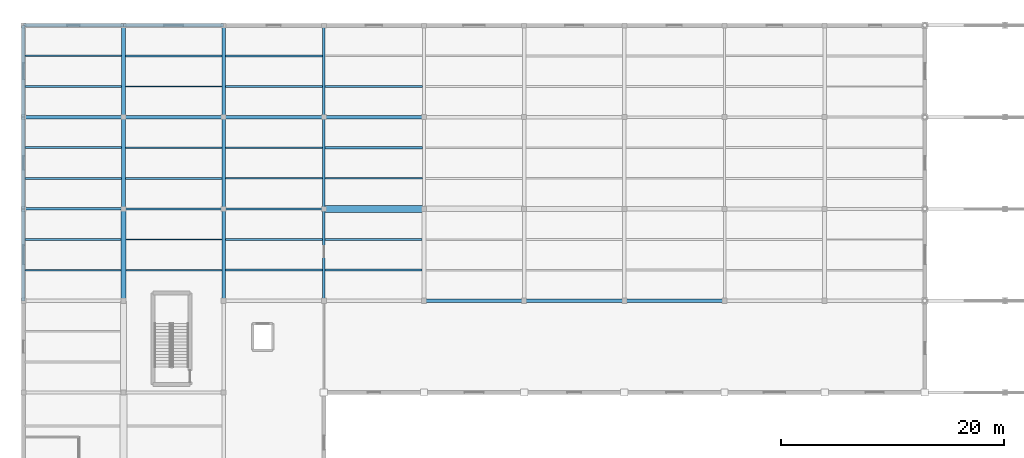
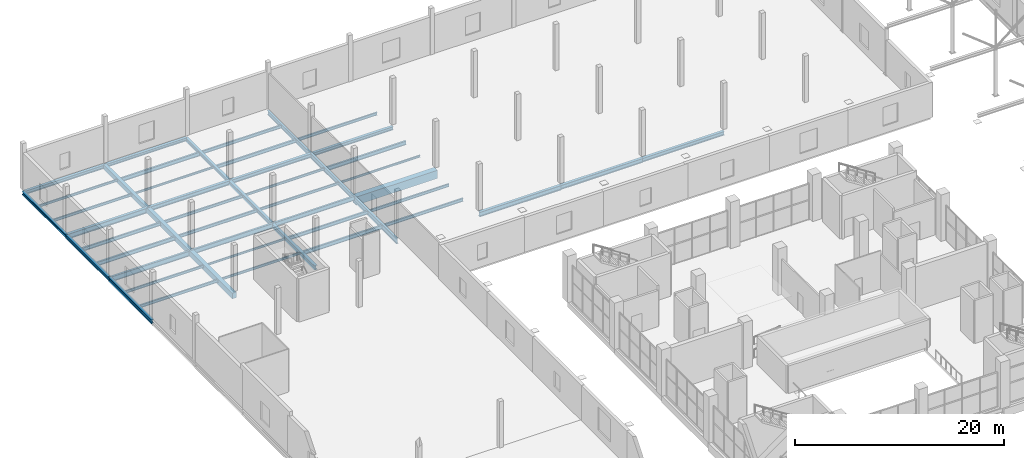
# One storey, part 55 of 147: 48 beams.
"""IFC4 building model written with IfcOpenShell, lengths in metres."""

from ifc_helpers import new_model, si_unit, direction, frame, origin, origin_2d, place, context, subcontext, project, spatial, rectangle, i_section, extrude, material, material_profile, profile_set, type_object, element, save


model = new_model("IFC4")

# Units and contexts
model_context = context("Model", 3, precision=1e-05, world=origin(), true_north=direction((0.0, 1.0)))
body_context = subcontext(model_context, "Body", "Model", "MODEL_VIEW")
ifc_project = project(units=[si_unit("LENGTHUNIT", "METRE"), si_unit("AREAUNIT", "SQUARE_METRE"), si_unit("VOLUMEUNIT", "CUBIC_METRE"), si_unit("PLANEANGLEUNIT", "RADIAN"), si_unit("MASSUNIT", "GRAM", prefix="KILO")], contexts=[model_context])

# Site, building, storey
site_placement = place(None, origin())
site = spatial("IfcSite", under=ifc_project, at=site_placement, CompositionType="ELEMENT")
building_placement = place(site_placement, origin())
building = spatial("IfcBuilding", under=site, at=building_placement, Name="Sundgate Opera House", CompositionType="ELEMENT")
storey_placement = place(building_placement, frame((0.0, 0.0, 6.0)))
storey = spatial("IfcBuildingStorey", under=building, at=storey_placement, Name="L01", CompositionType="ELEMENT", Elevation=6.0)

# Beams
ifc_material_1 = material(Name="Steel S355J2", Category="steel")
ifc_material_profile_1 = material_profile(ifc_material_1, i_section(OverallWidth=0.300048828125, OverallDepth=0.389892578125, WebThickness=0.010986328125, FlangeThickness=0.01904296875, at=origin_2d()), Name="HEA 400")
ifc_profile_set_1 = profile_set([ifc_material_profile_1], Name="Steel S355J2")
beam_type_1 = type_object("IfcBeamType", Name="BM-GR-HEA400", PredefinedType="BEAM", material=ifc_profile_set_1)
beam_1_placement = place(storey_placement, frame((18.0, 111.75, -0.4951171875), z_axis=(0.0, 1.0, 0.0), x_axis=(-1.0, 0.0, 0.0)))
element("IfcBeam", 1, at=beam_1_placement, inside=storey, type_object=beam_type_1, Name="L01 Primary N-S Girder B1105", PredefinedType="BEAM", context=body_context, shape_type="SweptSolid", body=[
    extrude(i_section(OverallWidth=0.300048828125, OverallDepth=0.389892578125, WebThickness=0.010986328125, FlangeThickness=0.01904296875, at=origin_2d()), origin(), (0.0, 0.0, 1.0), 8.25),
])
beam_2_placement = place(storey_placement, frame((27.0, 111.75, -0.4951171875), z_axis=(1.0, 0.0, 0.0), x_axis=(0.0, 1.0, 0.0)))
element("IfcBeam", 2, at=beam_2_placement, inside=storey, type_object=beam_type_1, Name="L01 Primary E-W Girder B1435", PredefinedType="BEAM", context=body_context, shape_type="SweptSolid", body=[
    extrude(i_section(OverallWidth=0.300048828125, OverallDepth=0.389892578125, WebThickness=0.010986328125, FlangeThickness=0.01904296875, at=origin_2d()), origin(), (0.0, 0.0, 1.0), 9.0),
])
ifc_material_2 = material(Name="Steel S355J2", Category="steel")
ifc_material_profile_2 = material_profile(ifc_material_2, i_section(OverallWidth=0.300048828125, OverallDepth=0.43994140625, WebThickness=0.011474609375, FlangeThickness=0.02099609375, at=origin_2d()), Name="HEA 450")
ifc_profile_set_2 = profile_set([ifc_material_profile_2], Name="Steel S355J2")
beam_type_2 = type_object("IfcBeamType", Name="BM-GR-HEA450", PredefinedType="BEAM", material=ifc_profile_set_2)
beam_3_placement = place(storey_placement, frame((18.0, 103.5, -0.52001953125), z_axis=(0.0, 1.0, 0.0), x_axis=(-1.0, 0.0, 0.0)))
element("IfcBeam", 3, at=beam_3_placement, inside=storey, type_object=beam_type_2, Name="L01 Primary N-S Girder B1104", PredefinedType="BEAM", context=body_context, shape_type="SweptSolid", body=[
    extrude(i_section(OverallWidth=0.300048828125, OverallDepth=0.43994140625, WebThickness=0.011474609375, FlangeThickness=0.02099609375, at=origin_2d()), origin(), (0.0, 0.0, 1.0), 8.25),
])
beam_4_placement = place(storey_placement, frame((18.0, 111.75, -0.52001953125), z_axis=(1.0, 0.0, 0.0), x_axis=(0.0, 1.0, 0.0)))
element("IfcBeam", 4, at=beam_4_placement, inside=storey, type_object=beam_type_2, Name="L01 Primary E-W Girder B1434", PredefinedType="BEAM", context=body_context, shape_type="SweptSolid", body=[
    extrude(i_section(OverallWidth=0.300048828125, OverallDepth=0.43994140625, WebThickness=0.011474609375, FlangeThickness=0.02099609375, at=origin_2d()), origin(), (0.0, 0.0, 1.0), 9.0),
])
ifc_material_3 = material(Name="Steel S355J2", Category="steel")
ifc_material_profile_3 = material_profile(ifc_material_3, i_section(OverallWidth=0.300048828125, OverallDepth=0.489990234375, WebThickness=0.011962890625, FlangeThickness=0.02294921875, at=origin_2d()), Name="HEA 500")
ifc_profile_set_3 = profile_set([ifc_material_profile_3], Name="Steel S355J2")
beam_type_3 = type_object("IfcBeamType", Name="BM-GR-HEA500", PredefinedType="BEAM", material=ifc_profile_set_3)
beam_5_placement = place(storey_placement, frame((18.0, 95.25, -0.544921875), z_axis=(0.0, 1.0, 0.0), x_axis=(-1.0, 0.0, 0.0)))
element("IfcBeam", 5, at=beam_5_placement, inside=storey, type_object=beam_type_3, Name="L01 Primary N-S Girder B1103", PredefinedType="BEAM", context=body_context, shape_type="SweptSolid", body=[
    extrude(i_section(OverallWidth=0.300048828125, OverallDepth=0.489990234375, WebThickness=0.011962890625, FlangeThickness=0.02294921875, at=origin_2d()), origin(), (0.0, 0.0, 1.0), 8.25),
])
beam_6_placement = place(storey_placement, frame((9.0, 111.75, -0.544921875), z_axis=(1.0, 0.0, 0.0), x_axis=(0.0, 1.0, 0.0)))
element("IfcBeam", 6, at=beam_6_placement, inside=storey, type_object=beam_type_3, Name="L01 Primary E-W Girder B1433", PredefinedType="BEAM", context=body_context, shape_type="SweptSolid", body=[
    extrude(i_section(OverallWidth=0.300048828125, OverallDepth=0.489990234375, WebThickness=0.011962890625, FlangeThickness=0.02294921875, at=origin_2d()), origin(), (0.0, 0.0, 1.0), 9.0),
])
ifc_material_4 = material(Name="Steel S355J2", Category="steel")
ifc_material_profile_4 = material_profile(ifc_material_4, i_section(OverallWidth=0.300048828125, OverallDepth=0.590087890625, WebThickness=0.012939453125, FlangeThickness=0.02490234375, at=origin_2d()), Name="HEA 600")
ifc_profile_set_4 = profile_set([ifc_material_profile_4], Name="Steel S355J2")
beam_type_4 = type_object("IfcBeamType", Name="BM-GR-HEA600", PredefinedType="BEAM", material=ifc_profile_set_4)
beam_7_placement = place(storey_placement, frame((0.0, 111.75, -0.594970703125), z_axis=(1.0, 0.0, 0.0), x_axis=(0.0, 1.0, 0.0)))
element("IfcBeam", 7, at=beam_7_placement, inside=storey, type_object=beam_type_4, Name="L01 Primary E-W Girder B1432", PredefinedType="BEAM", context=body_context, shape_type="SweptSolid", body=[
    extrude(i_section(OverallWidth=0.300048828125, OverallDepth=0.590087890625, WebThickness=0.012939453125, FlangeThickness=0.02490234375, at=origin_2d()), origin(), (0.0, 0.0, 1.0), 9.0),
])
ifc_material_5 = material(Name="Steel S355J2", Category="steel")
ifc_material_profile_5 = material_profile(ifc_material_5, i_section(OverallWidth=0.300048828125, OverallDepth=0.360107421875, WebThickness=0.012451171875, FlangeThickness=0.0224609375, at=origin_2d()), Name="HEB 360")
ifc_profile_set_5 = profile_set([ifc_material_profile_5], Name="Steel S355J2")
beam_type_5 = type_object("IfcBeamType", Name="BM-GR-HEB360", PredefinedType="BEAM", material=ifc_profile_set_5)
beam_8_placement = place(storey_placement, frame((0.0, 111.75, -0.47998046875), z_axis=(0.0, 1.0, 0.0), x_axis=(-1.0, 0.0, 0.0)))
element("IfcBeam", 8, at=beam_8_placement, inside=storey, type_object=beam_type_5, Name="L01 Primary N-S Girder B1079", PredefinedType="BEAM", context=body_context, shape_type="SweptSolid", body=[
    extrude(i_section(OverallWidth=0.300048828125, OverallDepth=0.360107421875, WebThickness=0.012451171875, FlangeThickness=0.0224609375, at=origin_2d()), origin(), (0.0, 0.0, 1.0), 8.25),
])
beam_9_placement = place(storey_placement, frame((9.0, 120.0, -0.47998046875), z_axis=(1.0, 0.0, 0.0), x_axis=(0.0, 1.0, 0.0)))
element("IfcBeam", 9, at=beam_9_placement, inside=storey, type_object=beam_type_5, Name="L01 Primary E-W Girder B1453", PredefinedType="BEAM", context=body_context, shape_type="SweptSolid", body=[
    extrude(i_section(OverallWidth=0.300048828125, OverallDepth=0.360107421875, WebThickness=0.012451171875, FlangeThickness=0.0224609375, at=origin_2d()), origin(), (0.0, 0.0, 1.0), 9.0),
])
ifc_material_6 = material(Name="Steel S355J2", Category="steel")
ifc_material_profile_6 = material_profile(ifc_material_6, i_section(OverallWidth=0.300048828125, OverallDepth=0.39990234375, WebThickness=0.013427734375, FlangeThickness=0.02392578125, at=origin_2d()), Name="HEB 400")
ifc_profile_set_6 = profile_set([ifc_material_profile_6], Name="Steel S355J2")
beam_type_6 = type_object("IfcBeamType", Name="BM-GR-HEB400", PredefinedType="BEAM", material=ifc_profile_set_6)
beam_10_placement = place(storey_placement, frame((0.0, 103.5, -0.5), z_axis=(0.0, 1.0, 0.0), x_axis=(-1.0, 0.0, 0.0)))
element("IfcBeam", 10, at=beam_10_placement, inside=storey, type_object=beam_type_6, Name="L01 Primary N-S Girder B1078", PredefinedType="BEAM", context=body_context, shape_type="SweptSolid", body=[
    extrude(i_section(OverallWidth=0.300048828125, OverallDepth=0.39990234375, WebThickness=0.013427734375, FlangeThickness=0.02392578125, at=origin_2d()), origin(), (0.0, 0.0, 1.0), 8.25),
])
beam_11_placement = place(storey_placement, frame((0.0, 120.0, -0.5), z_axis=(1.0, 0.0, 0.0), x_axis=(0.0, 1.0, 0.0)))
element("IfcBeam", 11, at=beam_11_placement, inside=storey, type_object=beam_type_6, Name="L01 Primary E-W Girder B1452", PredefinedType="BEAM", context=body_context, shape_type="SweptSolid", body=[
    extrude(i_section(OverallWidth=0.300048828125, OverallDepth=0.39990234375, WebThickness=0.013427734375, FlangeThickness=0.02392578125, at=origin_2d()), origin(), (0.0, 0.0, 1.0), 9.0),
])
ifc_material_7 = material(Name="Steel S355J2", Category="steel")
ifc_material_profile_7 = material_profile(ifc_material_7, i_section(OverallWidth=0.300048828125, OverallDepth=0.449951171875, WebThickness=0.013916015625, FlangeThickness=0.02587890625, at=origin_2d()), Name="HEB 450")
ifc_profile_set_7 = profile_set([ifc_material_profile_7], Name="Steel S355J2")
beam_type_7 = type_object("IfcBeamType", Name="BM-GR-HEB450", PredefinedType="BEAM", material=ifc_profile_set_7)
beam_12_placement = place(storey_placement, frame((0.0, 95.25, -0.52490234375), z_axis=(0.0, 1.0, 0.0), x_axis=(-1.0, 0.0, 0.0)))
element("IfcBeam", 12, at=beam_12_placement, inside=storey, type_object=beam_type_7, Name="L01 Primary N-S Girder B1077", PredefinedType="BEAM", context=body_context, shape_type="SweptSolid", body=[
    extrude(i_section(OverallWidth=0.300048828125, OverallDepth=0.449951171875, WebThickness=0.013916015625, FlangeThickness=0.02587890625, at=origin_2d()), origin(), (0.0, 0.0, 1.0), 8.25),
])
beam_13_placement = place(storey_placement, frame((54.0, 95.25, -0.52490234375), z_axis=(1.0, 0.0, 0.0), x_axis=(0.0, 1.0, 0.0)))
element("IfcBeam", 13, at=beam_13_placement, inside=storey, type_object=beam_type_7, Name="L01 Primary E-W Girder B1407", PredefinedType="BEAM", context=body_context, shape_type="SweptSolid", body=[
    extrude(i_section(OverallWidth=0.300048828125, OverallDepth=0.449951171875, WebThickness=0.013916015625, FlangeThickness=0.02587890625, at=origin_2d()), origin(), (0.0, 0.0, 1.0), 9.0),
])
ifc_material_8 = material(Name="Steel S355J2", Category="steel")
ifc_material_profile_8 = material_profile(ifc_material_8, i_section(OverallWidth=0.300048828125, OverallDepth=0.5, WebThickness=0.014404296875, FlangeThickness=0.028076171875, at=origin_2d()), Name="HEB 500")
ifc_profile_set_8 = profile_set([ifc_material_profile_8], Name="Steel S355J2")
beam_type_8 = type_object("IfcBeamType", Name="BM-GR-HEB500", PredefinedType="BEAM", material=ifc_profile_set_8)
beam_14_placement = place(storey_placement, frame((45.0, 95.25, -0.550048828125), z_axis=(1.0, 0.0, 0.0), x_axis=(0.0, 1.0, 0.0)))
element("IfcBeam", 14, at=beam_14_placement, inside=storey, type_object=beam_type_8, Name="L01 Primary E-W Girder B1406", PredefinedType="BEAM", context=body_context, shape_type="SweptSolid", body=[
    extrude(i_section(OverallWidth=0.300048828125, OverallDepth=0.5, WebThickness=0.014404296875, FlangeThickness=0.028076171875, at=origin_2d()), origin(), (0.0, 0.0, 1.0), 9.0),
])
ifc_material_9 = material(Name="Steel S355J2", Category="steel")
ifc_material_profile_9 = material_profile(ifc_material_9, i_section(OverallWidth=0.300048828125, OverallDepth=0.550048828125, WebThickness=0.014892578125, FlangeThickness=0.029052734375, at=origin_2d()), Name="HEB 550")
ifc_profile_set_9 = profile_set([ifc_material_profile_9], Name="Steel S355J2")
beam_type_9 = type_object("IfcBeamType", Name="BM-GR-HEB550", PredefinedType="BEAM", material=ifc_profile_set_9)
beam_15_placement = place(storey_placement, frame((36.0, 95.25, -0.574951171875), z_axis=(1.0, 0.0, 0.0), x_axis=(0.0, 1.0, 0.0)))
element("IfcBeam", 15, at=beam_15_placement, inside=storey, type_object=beam_type_9, Name="L01 Primary E-W Girder B1405", PredefinedType="BEAM", context=body_context, shape_type="SweptSolid", body=[
    extrude(i_section(OverallWidth=0.300048828125, OverallDepth=0.550048828125, WebThickness=0.014892578125, FlangeThickness=0.029052734375, at=origin_2d()), origin(), (0.0, 0.0, 1.0), 9.0),
])
ifc_material_10 = material(Name="Steel S355J2", Category="steel")
ifc_material_profile_10 = material_profile(ifc_material_10, i_section(OverallWidth=0.199951171875, OverallDepth=0.5, WebThickness=0.01025390625, FlangeThickness=0.01611328125, at=origin_2d()), Name="IPE 500")
ifc_profile_set_10 = profile_set([ifc_material_profile_10], Name="Steel S355J2")
beam_type_10 = type_object("IfcBeamType", Name="BM-GR-IPE500", PredefinedType="BEAM", material=ifc_profile_set_10)
beam_16_placement = place(storey_placement, frame((27.0, 111.75, -0.550048828125), z_axis=(0.0, 1.0, 0.0), x_axis=(-1.0, 0.0, 0.0)))
element("IfcBeam", 16, at=beam_16_placement, inside=storey, type_object=beam_type_10, Name="L01 Primary N-S Girder B1110", PredefinedType="BEAM", context=body_context, shape_type="SweptSolid", body=[
    extrude(i_section(OverallWidth=0.199951171875, OverallDepth=0.5, WebThickness=0.01025390625, FlangeThickness=0.01611328125, at=origin_2d()), origin(), (0.0, 0.0, 1.0), 8.25),
])
beam_17_placement = place(storey_placement, frame((18.0, 103.5, -0.550048828125), z_axis=(1.0, 0.0, 0.0), x_axis=(0.0, 1.0, 0.0)))
element("IfcBeam", 17, at=beam_17_placement, inside=storey, type_object=beam_type_10, Name="L01 Primary E-W Girder B1418", PredefinedType="BEAM", context=body_context, shape_type="SweptSolid", body=[
    extrude(i_section(OverallWidth=0.199951171875, OverallDepth=0.5, WebThickness=0.01025390625, FlangeThickness=0.01611328125, at=origin_2d()), origin(), (0.0, 0.0, 1.0), 9.0),
])
ifc_material_11 = material(Name="Steel S355J2", Category="steel")
ifc_material_profile_11 = material_profile(ifc_material_11, i_section(OverallWidth=0.2099609375, OverallDepth=0.550048828125, WebThickness=0.010986328125, FlangeThickness=0.01708984375, at=origin_2d()), Name="IPE 550")
ifc_profile_set_11 = profile_set([ifc_material_profile_11], Name="Steel S355J2")
beam_type_11 = type_object("IfcBeamType", Name="BM-GR-IPE550", PredefinedType="BEAM", material=ifc_profile_set_11)
beam_18_placement = place(storey_placement, frame((27.0, 103.5, -0.574951171875), z_axis=(0.0, 1.0, 0.0), x_axis=(-1.0, 0.0, 0.0)))
element("IfcBeam", 18, at=beam_18_placement, inside=storey, type_object=beam_type_11, Name="L01 Primary N-S Girder B1109", PredefinedType="BEAM", context=body_context, shape_type="SweptSolid", body=[
    extrude(i_section(OverallWidth=0.2099609375, OverallDepth=0.550048828125, WebThickness=0.010986328125, FlangeThickness=0.01708984375, at=origin_2d()), origin(), (0.0, 0.0, 1.0), 8.25),
])
beam_19_placement = place(storey_placement, frame((9.0, 103.5, -0.574951171875), z_axis=(1.0, 0.0, 0.0), x_axis=(0.0, 1.0, 0.0)))
element("IfcBeam", 19, at=beam_19_placement, inside=storey, type_object=beam_type_11, Name="L01 Primary E-W Girder B1417", PredefinedType="BEAM", context=body_context, shape_type="SweptSolid", body=[
    extrude(i_section(OverallWidth=0.2099609375, OverallDepth=0.550048828125, WebThickness=0.010986328125, FlangeThickness=0.01708984375, at=origin_2d()), origin(), (0.0, 0.0, 1.0), 9.0),
])
ifc_material_12 = material(Name="Steel S355J2", Category="steel")
ifc_material_profile_12 = material_profile(ifc_material_12, i_section(OverallWidth=0.219970703125, OverallDepth=0.60009765625, WebThickness=0.011962890625, FlangeThickness=0.01904296875, at=origin_2d()), Name="IPE 600")
ifc_profile_set_12 = profile_set([ifc_material_profile_12], Name="Steel S355J2")
beam_type_12 = type_object("IfcBeamType", Name="BM-GR-IPE600", PredefinedType="BEAM", material=ifc_profile_set_12)
beam_20_placement = place(storey_placement, frame((27.0, 95.25, -0.60009765625), z_axis=(0.0, 1.0, 0.0), x_axis=(-1.0, 0.0, 0.0)))
element("IfcBeam", 20, at=beam_20_placement, inside=storey, type_object=beam_type_12, Name="L01 Primary N-S Girder B1108", PredefinedType="BEAM", context=body_context, shape_type="SweptSolid", body=[
    extrude(i_section(OverallWidth=0.219970703125, OverallDepth=0.60009765625, WebThickness=0.011962890625, FlangeThickness=0.01904296875, at=origin_2d()), origin(), (0.0, 0.0, 1.0), 8.25),
])
beam_21_placement = place(storey_placement, frame((0.0, 103.5, -0.60009765625), z_axis=(1.0, 0.0, 0.0), x_axis=(0.0, 1.0, 0.0)))
element("IfcBeam", 21, at=beam_21_placement, inside=storey, type_object=beam_type_12, Name="L01 Primary E-W Girder B1416", PredefinedType="BEAM", context=body_context, shape_type="SweptSolid", body=[
    extrude(i_section(OverallWidth=0.219970703125, OverallDepth=0.60009765625, WebThickness=0.011962890625, FlangeThickness=0.01904296875, at=origin_2d()), origin(), (0.0, 0.0, 1.0), 9.0),
])
ifc_material_13 = material(Name="Steel S355J2", Category="steel")
ifc_material_profile_13 = material_profile(ifc_material_13, i_section(OverallWidth=0.1201171875, OverallDepth=0.239990234375, WebThickness=0.006103515625, FlangeThickness=0.009765625, at=origin_2d()), Name="IPE 240")
ifc_profile_set_13 = profile_set([ifc_material_profile_13], Name="Steel S355J2")
beam_type_13 = type_object("IfcBeamType", Name="BM-JS-IPE240", PredefinedType="JOIST", material=ifc_profile_set_13)
beam_22_placement = place(storey_placement, frame((9.22509765625, 100.75, -0.419921875), z_axis=(1.0, 0.0, 0.0), x_axis=(0.0, 1.0, 0.0)))
element("IfcBeam", 22, at=beam_22_placement, inside=storey, type_object=beam_type_13, Name="L01 Secondary Floor Joist B1679", PredefinedType="JOIST", context=body_context, shape_type="SweptSolid", body=[
    extrude(i_section(OverallWidth=0.1201171875, OverallDepth=0.239990234375, WebThickness=0.006103515625, FlangeThickness=0.009765625, at=origin_2d()), origin(), (0.0, 0.0, 1.0), 8.625),
])
beam_23_placement = place(storey_placement, frame((27.10498046875, 106.25, -0.419921875), z_axis=(1.0, 0.0, 0.0), x_axis=(0.0, 1.0, 0.0)))
element("IfcBeam", 23, at=beam_23_placement, inside=storey, type_object=beam_type_13, Name="L01 Secondary Floor Joist B1714", PredefinedType="JOIST", context=body_context, shape_type="SweptSolid", body=[
    extrude(i_section(OverallWidth=0.1201171875, OverallDepth=0.239990234375, WebThickness=0.006103515625, FlangeThickness=0.009765625, at=origin_2d()), origin(), (0.0, 0.0, 1.0), 8.7451171875),
])
beam_24_placement = place(storey_placement, frame((9.175048828125, 114.5, -0.419921875), z_axis=(1.0, 0.0, 0.0), x_axis=(0.0, 1.0, 0.0)))
element("IfcBeam", 24, at=beam_24_placement, inside=storey, type_object=beam_type_13, Name="L01 Secondary Floor Joist B1742", PredefinedType="JOIST", context=body_context, shape_type="SweptSolid", body=[
    extrude(i_section(OverallWidth=0.1201171875, OverallDepth=0.239990234375, WebThickness=0.006103515625, FlangeThickness=0.009765625, at=origin_2d()), origin(), (0.0, 0.0, 1.0), 8.675048828125),
])
ifc_material_14 = material(Name="Steel S355J2", Category="steel")
ifc_material_profile_14 = material_profile(ifc_material_14, i_section(OverallWidth=0.135009765625, OverallDepth=0.27001953125, WebThickness=0.006591796875, FlangeThickness=0.01025390625, at=origin_2d()), Name="IPE 270")
ifc_profile_set_14 = profile_set([ifc_material_profile_14], Name="Steel S355J2")
beam_type_14 = type_object("IfcBeamType", Name="BM-JS-IPE270", PredefinedType="JOIST", material=ifc_profile_set_14)
beam_25_placement = place(storey_placement, frame((9.22509765625, 98.0, -0.43505859375), z_axis=(1.0, 0.0, 0.0), x_axis=(0.0, 1.0, 0.0)))
element("IfcBeam", 25, at=beam_25_placement, inside=storey, type_object=beam_type_14, Name="L01 Secondary Floor Joist B1678", PredefinedType="JOIST", context=body_context, shape_type="SweptSolid", body=[
    extrude(i_section(OverallWidth=0.135009765625, OverallDepth=0.27001953125, WebThickness=0.006591796875, FlangeThickness=0.01025390625, at=origin_2d()), origin(), (0.0, 0.0, 1.0), 8.625),
])
beam_26_placement = place(storey_placement, frame((18.14990234375, 109.0, -0.43505859375), z_axis=(1.0, 0.0, 0.0), x_axis=(0.0, 1.0, 0.0)))
element("IfcBeam", 26, at=beam_26_placement, inside=storey, type_object=beam_type_14, Name="L01 Secondary Floor Joist B1713", PredefinedType="JOIST", context=body_context, shape_type="SweptSolid", body=[
    extrude(i_section(OverallWidth=0.135009765625, OverallDepth=0.27001953125, WebThickness=0.006591796875, FlangeThickness=0.01025390625, at=origin_2d()), origin(), (0.0, 0.0, 1.0), 8.7451171875),
])
beam_27_placement = place(storey_placement, frame((0.14990234375, 117.25, -0.43505859375), z_axis=(1.0, 0.0, 0.0), x_axis=(0.0, 1.0, 0.0)))
element("IfcBeam", 27, at=beam_27_placement, inside=storey, type_object=beam_type_14, Name="L01 Secondary Floor Joist B1741", PredefinedType="JOIST", context=body_context, shape_type="SweptSolid", body=[
    extrude(i_section(OverallWidth=0.135009765625, OverallDepth=0.27001953125, WebThickness=0.006591796875, FlangeThickness=0.01025390625, at=origin_2d()), origin(), (0.0, 0.0, 1.0), 8.675048828125),
])
ifc_material_15 = material(Name="Steel S355J2", Category="steel")
ifc_material_profile_15 = material_profile(ifc_material_15, i_section(OverallWidth=0.14990234375, OverallDepth=0.300048828125, WebThickness=0.007080078125, FlangeThickness=0.0107421875, at=origin_2d()), Name="IPE 300")
ifc_profile_set_15 = profile_set([ifc_material_profile_15], Name="Steel S355J2")
beam_type_15 = type_object("IfcBeamType", Name="BM-JS-IPE300", PredefinedType="JOIST", material=ifc_profile_set_15)
beam_28_placement = place(storey_placement, frame((0.14990234375, 100.75, -0.449951171875), z_axis=(1.0, 0.0, 0.0), x_axis=(0.0, 1.0, 0.0)))
element("IfcBeam", 28, at=beam_28_placement, inside=storey, type_object=beam_type_15, Name="L01 Secondary Floor Joist B1677", PredefinedType="JOIST", context=body_context, shape_type="SweptSolid", body=[
    extrude(i_section(OverallWidth=0.14990234375, OverallDepth=0.300048828125, WebThickness=0.007080078125, FlangeThickness=0.0107421875, at=origin_2d()), origin(), (0.0, 0.0, 1.0), 8.625),
])
beam_29_placement = place(storey_placement, frame((18.14990234375, 106.25, -0.449951171875), z_axis=(1.0, 0.0, 0.0), x_axis=(0.0, 1.0, 0.0)))
element("IfcBeam", 29, at=beam_29_placement, inside=storey, type_object=beam_type_15, Name="L01 Secondary Floor Joist B1712", PredefinedType="JOIST", context=body_context, shape_type="SweptSolid", body=[
    extrude(i_section(OverallWidth=0.14990234375, OverallDepth=0.300048828125, WebThickness=0.007080078125, FlangeThickness=0.0107421875, at=origin_2d()), origin(), (0.0, 0.0, 1.0), 8.7451171875),
])
beam_30_placement = place(storey_placement, frame((0.14990234375, 114.5, -0.449951171875), z_axis=(1.0, 0.0, 0.0), x_axis=(0.0, 1.0, 0.0)))
element("IfcBeam", 30, at=beam_30_placement, inside=storey, type_object=beam_type_15, Name="L01 Secondary Floor Joist B1740", PredefinedType="JOIST", context=body_context, shape_type="SweptSolid", body=[
    extrude(i_section(OverallWidth=0.14990234375, OverallDepth=0.300048828125, WebThickness=0.007080078125, FlangeThickness=0.0107421875, at=origin_2d()), origin(), (0.0, 0.0, 1.0), 8.675048828125),
])
ifc_material_16 = material(Name="Steel S355J2", Category="steel")
ifc_material_profile_16 = material_profile(ifc_material_16, i_section(OverallWidth=0.159912109375, OverallDepth=0.330078125, WebThickness=0.007568359375, FlangeThickness=0.011474609375, at=origin_2d()), Name="IPE 330")
ifc_profile_set_16 = profile_set([ifc_material_profile_16], Name="Steel S355J2")
beam_type_16 = type_object("IfcBeamType", Name="BM-JS-IPE330", PredefinedType="JOIST", material=ifc_profile_set_16)
beam_31_placement = place(storey_placement, frame((0.14990234375, 98.0, -0.465087890625), z_axis=(1.0, 0.0, 0.0), x_axis=(0.0, 1.0, 0.0)))
element("IfcBeam", 31, at=beam_31_placement, inside=storey, type_object=beam_type_16, Name="L01 Secondary Floor Joist B1676", PredefinedType="JOIST", context=body_context, shape_type="SweptSolid", body=[
    extrude(i_section(OverallWidth=0.159912109375, OverallDepth=0.330078125, WebThickness=0.007568359375, FlangeThickness=0.011474609375, at=origin_2d()), origin(), (0.0, 0.0, 1.0), 8.625),
])
beam_32_placement = place(storey_placement, frame((27.110107421875, 100.75, -0.465087890625), z_axis=(1.0, 0.0, 0.0), x_axis=(0.0, 1.0, 0.0)))
element("IfcBeam", 32, at=beam_32_placement, inside=storey, type_object=beam_type_16, Name="L01 Secondary Floor Joist B1683", PredefinedType="JOIST", context=body_context, shape_type="SweptSolid", body=[
    extrude(i_section(OverallWidth=0.159912109375, OverallDepth=0.330078125, WebThickness=0.007568359375, FlangeThickness=0.011474609375, at=origin_2d()), origin(), (0.0, 0.0, 1.0), 8.71484375),
])
beam_33_placement = place(storey_placement, frame((9.199951171875, 109.0, -0.465087890625), z_axis=(1.0, 0.0, 0.0), x_axis=(0.0, 1.0, 0.0)))
element("IfcBeam", 33, at=beam_33_placement, inside=storey, type_object=beam_type_16, Name="L01 Secondary Floor Joist B1711", PredefinedType="JOIST", context=body_context, shape_type="SweptSolid", body=[
    extrude(i_section(OverallWidth=0.159912109375, OverallDepth=0.330078125, WebThickness=0.007568359375, FlangeThickness=0.011474609375, at=origin_2d()), origin(), (0.0, 0.0, 1.0), 8.650146484375),
])
beam_34_placement = place(storey_placement, frame((27.10009765625, 114.5, -0.465087890625), z_axis=(1.0, 0.0, 0.0), x_axis=(0.0, 1.0, 0.0)))
element("IfcBeam", 34, at=beam_34_placement, inside=storey, type_object=beam_type_16, Name="L01 Secondary Floor Joist B1746", PredefinedType="JOIST", context=body_context, shape_type="SweptSolid", body=[
    extrude(i_section(OverallWidth=0.159912109375, OverallDepth=0.330078125, WebThickness=0.007568359375, FlangeThickness=0.011474609375, at=origin_2d()), origin(), (0.0, 0.0, 1.0), 8.75),
])
ifc_material_17 = material(Name="Steel S355J2", Category="steel")
ifc_material_profile_17 = material_profile(ifc_material_17, i_section(OverallWidth=0.169921875, OverallDepth=0.360107421875, WebThickness=0.008056640625, FlangeThickness=0.0126953125, at=origin_2d()), Name="IPE 360")
ifc_profile_set_17 = profile_set([ifc_material_profile_17], Name="Steel S355J2")
beam_type_17 = type_object("IfcBeamType", Name="BM-JS-IPE360", PredefinedType="JOIST", material=ifc_profile_set_17)
beam_35_placement = place(storey_placement, frame((27.110107421875, 98.0, -0.47998046875), z_axis=(1.0, 0.0, 0.0), x_axis=(0.0, 1.0, 0.0)))
element("IfcBeam", 35, at=beam_35_placement, inside=storey, type_object=beam_type_17, Name="L01 Secondary Floor Joist B1682", PredefinedType="JOIST", context=body_context, shape_type="SweptSolid", body=[
    extrude(i_section(OverallWidth=0.169921875, OverallDepth=0.360107421875, WebThickness=0.008056640625, FlangeThickness=0.0126953125, at=origin_2d()), origin(), (0.0, 0.0, 1.0), 8.71484375),
])
beam_36_placement = place(storey_placement, frame((9.199951171875, 106.25, -0.47998046875), z_axis=(1.0, 0.0, 0.0), x_axis=(0.0, 1.0, 0.0)))
element("IfcBeam", 36, at=beam_36_placement, inside=storey, type_object=beam_type_17, Name="L01 Secondary Floor Joist B1710", PredefinedType="JOIST", context=body_context, shape_type="SweptSolid", body=[
    extrude(i_section(OverallWidth=0.169921875, OverallDepth=0.360107421875, WebThickness=0.008056640625, FlangeThickness=0.0126953125, at=origin_2d()), origin(), (0.0, 0.0, 1.0), 8.650146484375),
])
beam_37_placement = place(storey_placement, frame((18.14990234375, 117.25, -0.47998046875), z_axis=(1.0, 0.0, 0.0), x_axis=(0.0, 1.0, 0.0)))
element("IfcBeam", 37, at=beam_37_placement, inside=storey, type_object=beam_type_17, Name="L01 Secondary Floor Joist B1745", PredefinedType="JOIST", context=body_context, shape_type="SweptSolid", body=[
    extrude(i_section(OverallWidth=0.169921875, OverallDepth=0.360107421875, WebThickness=0.008056640625, FlangeThickness=0.0126953125, at=origin_2d()), origin(), (0.0, 0.0, 1.0), 8.75),
])
ifc_material_18 = material(Name="Steel S355J2", Category="steel")
ifc_material_profile_18 = material_profile(ifc_material_18, i_section(OverallWidth=0.179931640625, OverallDepth=0.39990234375, WebThickness=0.008544921875, FlangeThickness=0.013427734375, at=origin_2d()), Name="IPE 400")
ifc_profile_set_18 = profile_set([ifc_material_profile_18], Name="Steel S355J2")
beam_type_18 = type_object("IfcBeamType", Name="BM-JS-IPE400", PredefinedType="JOIST", material=ifc_profile_set_18)
beam_38_placement = place(storey_placement, frame((18.14990234375, 100.75, -0.5), z_axis=(1.0, 0.0, 0.0), x_axis=(0.0, 1.0, 0.0)))
element("IfcBeam", 38, at=beam_38_placement, inside=storey, type_object=beam_type_18, Name="L01 Secondary Floor Joist B1681", PredefinedType="JOIST", context=body_context, shape_type="SweptSolid", body=[
    extrude(i_section(OverallWidth=0.179931640625, OverallDepth=0.39990234375, WebThickness=0.008544921875, FlangeThickness=0.013427734375, at=origin_2d()), origin(), (0.0, 0.0, 1.0), 8.739990234375),
])
beam_39_placement = place(storey_placement, frame((0.14990234375, 109.0, -0.5), z_axis=(1.0, 0.0, 0.0), x_axis=(0.0, 1.0, 0.0)))
element("IfcBeam", 39, at=beam_39_placement, inside=storey, type_object=beam_type_18, Name="L01 Secondary Floor Joist B1709", PredefinedType="JOIST", context=body_context, shape_type="SweptSolid", body=[
    extrude(i_section(OverallWidth=0.179931640625, OverallDepth=0.39990234375, WebThickness=0.008544921875, FlangeThickness=0.013427734375, at=origin_2d()), origin(), (0.0, 0.0, 1.0), 8.650146484375),
])
beam_40_placement = place(storey_placement, frame((18.14990234375, 114.5, -0.5), z_axis=(1.0, 0.0, 0.0), x_axis=(0.0, 1.0, 0.0)))
element("IfcBeam", 40, at=beam_40_placement, inside=storey, type_object=beam_type_18, Name="L01 Secondary Floor Joist B1744", PredefinedType="JOIST", context=body_context, shape_type="SweptSolid", body=[
    extrude(i_section(OverallWidth=0.179931640625, OverallDepth=0.39990234375, WebThickness=0.008544921875, FlangeThickness=0.013427734375, at=origin_2d()), origin(), (0.0, 0.0, 1.0), 8.75),
])
ifc_material_19 = material(Name="Steel S355J2", Category="steel")
ifc_material_profile_19 = material_profile(ifc_material_19, i_section(OverallWidth=0.18994140625, OverallDepth=0.449951171875, WebThickness=0.009521484375, FlangeThickness=0.0146484375, at=origin_2d()), Name="IPE 450")
ifc_profile_set_19 = profile_set([ifc_material_profile_19], Name="Steel S355J2")
beam_type_19 = type_object("IfcBeamType", Name="BM-JS-IPE450", PredefinedType="JOIST", material=ifc_profile_set_19)
beam_41_placement = place(storey_placement, frame((18.14990234375, 98.0, -0.52490234375), z_axis=(1.0, 0.0, 0.0), x_axis=(0.0, 1.0, 0.0)))
element("IfcBeam", 41, at=beam_41_placement, inside=storey, type_object=beam_type_19, Name="L01 Secondary Floor Joist B1680", PredefinedType="JOIST", context=body_context, shape_type="SweptSolid", body=[
    extrude(i_section(OverallWidth=0.18994140625, OverallDepth=0.449951171875, WebThickness=0.009521484375, FlangeThickness=0.0146484375, at=origin_2d()), origin(), (0.0, 0.0, 1.0), 8.739990234375),
])
beam_42_placement = place(storey_placement, frame((0.14990234375, 106.25, -0.52490234375), z_axis=(1.0, 0.0, 0.0), x_axis=(0.0, 1.0, 0.0)))
element("IfcBeam", 42, at=beam_42_placement, inside=storey, type_object=beam_type_19, Name="L01 Secondary Floor Joist B1708", PredefinedType="JOIST", context=body_context, shape_type="SweptSolid", body=[
    extrude(i_section(OverallWidth=0.18994140625, OverallDepth=0.449951171875, WebThickness=0.009521484375, FlangeThickness=0.0146484375, at=origin_2d()), origin(), (0.0, 0.0, 1.0), 8.650146484375),
])
beam_43_placement = place(storey_placement, frame((27.10498046875, 109.0, -0.52490234375), z_axis=(1.0, 0.0, 0.0), x_axis=(0.0, 1.0, 0.0)))
element("IfcBeam", 43, at=beam_43_placement, inside=storey, type_object=beam_type_19, Name="L01 Secondary Floor Joist B1715", PredefinedType="JOIST", context=body_context, shape_type="SweptSolid", body=[
    extrude(i_section(OverallWidth=0.18994140625, OverallDepth=0.449951171875, WebThickness=0.009521484375, FlangeThickness=0.0146484375, at=origin_2d()), origin(), (0.0, 0.0, 1.0), 8.7451171875),
])
beam_44_placement = place(storey_placement, frame((9.175048828125, 117.25, -0.52490234375), z_axis=(1.0, 0.0, 0.0), x_axis=(0.0, 1.0, 0.0)))
element("IfcBeam", 44, at=beam_44_placement, inside=storey, type_object=beam_type_19, Name="L01 Secondary Floor Joist B1743", PredefinedType="JOIST", context=body_context, shape_type="SweptSolid", body=[
    extrude(i_section(OverallWidth=0.18994140625, OverallDepth=0.449951171875, WebThickness=0.009521484375, FlangeThickness=0.0146484375, at=origin_2d()), origin(), (0.0, 0.0, 1.0), 8.675048828125),
])
ifc_material_20 = material(Name="Concrete C35/45", Category="concrete")
ifc_material_profile_20 = material_profile(ifc_material_20, rectangle(XDim=0.35009765625, YDim=0.550048828125, at=origin_2d()), Name="RC 350x550")
ifc_profile_set_20 = profile_set([ifc_material_profile_20], Name="Concrete C35/45")
beam_type_20 = type_object("IfcBeamType", Name="BM-RC-350x550", PredefinedType="BEAM", material=ifc_profile_set_20)
beam_45_placement = place(storey_placement, frame((9.0, 111.75, -0.574951171875), z_axis=(0.0, 1.0, 0.0), x_axis=(-1.0, 0.0, 0.0)))
element("IfcBeam", 45, at=beam_45_placement, inside=storey, type_object=beam_type_20, Name="L01 Primary N-S Girder B1093", PredefinedType="BEAM", context=body_context, shape_type="SweptSolid", body=[
    extrude(rectangle(XDim=0.35009765625, YDim=0.550048828125, at=origin_2d()), origin(), (0.0, 0.0, 1.0), 8.25),
])
ifc_material_21 = material(Name="Concrete C35/45", Category="concrete")
ifc_material_profile_21 = material_profile(ifc_material_21, rectangle(XDim=0.39990234375, YDim=0.60009765625, at=origin_2d()), Name="RC 400x600")
ifc_profile_set_21 = profile_set([ifc_material_profile_21], Name="Concrete C35/45")
beam_type_21 = type_object("IfcBeamType", Name="BM-RC-400x600", PredefinedType="BEAM", material=ifc_profile_set_21)
beam_46_placement = place(storey_placement, frame((9.0, 103.5, -0.60009765625), z_axis=(0.0, 1.0, 0.0), x_axis=(-1.0, 0.0, 0.0)))
element("IfcBeam", 46, at=beam_46_placement, inside=storey, type_object=beam_type_21, Name="L01 Primary N-S Girder B1092", PredefinedType="BEAM", context=body_context, shape_type="SweptSolid", body=[
    extrude(rectangle(XDim=0.39990234375, YDim=0.60009765625, at=origin_2d()), origin(), (0.0, 0.0, 1.0), 8.25),
])
ifc_material_22 = material(Name="Concrete C35/45", Category="concrete")
ifc_material_profile_22 = material_profile(ifc_material_22, rectangle(XDim=0.449951171875, YDim=0.64990234375, at=origin_2d()), Name="RC 450x650")
ifc_profile_set_22 = profile_set([ifc_material_profile_22], Name="Concrete C35/45")
beam_type_22 = type_object("IfcBeamType", Name="BM-RC-450x650", PredefinedType="BEAM", material=ifc_profile_set_22)
beam_47_placement = place(storey_placement, frame((9.0, 95.25, -0.625), z_axis=(0.0, 1.0, 0.0), x_axis=(-1.0, 0.0, 0.0)))
element("IfcBeam", 47, at=beam_47_placement, inside=storey, type_object=beam_type_22, Name="L01 Primary N-S Girder B1091", PredefinedType="BEAM", context=body_context, shape_type="SweptSolid", body=[
    extrude(rectangle(XDim=0.449951171875, YDim=0.64990234375, at=origin_2d()), origin(), (0.0, 0.0, 1.0), 8.25),
])
ifc_material_23 = material(Name="Concrete C40/50", Category="concrete")
ifc_material_profile_23 = material_profile(ifc_material_23, rectangle(XDim=0.60009765625, YDim=0.949951171875, at=origin_2d()), Name="RC 600x950")
ifc_profile_set_23 = profile_set([ifc_material_profile_23], Name="Concrete C40/50")
beam_type_23 = type_object("IfcBeamType", Name="BM-RC-600x950", PredefinedType="BEAM", material=ifc_profile_set_23)
beam_48_placement = place(storey_placement, frame((27.0, 103.5, -0.77490234375), z_axis=(1.0, 0.0, 0.0), x_axis=(0.0, 1.0, 0.0)))
element("IfcBeam", 48, at=beam_48_placement, inside=storey, type_object=beam_type_23, Name="L01 Primary E-W Girder B1419", PredefinedType="BEAM", context=body_context, shape_type="SweptSolid", body=[
    extrude(rectangle(XDim=0.60009765625, YDim=0.949951171875, at=origin_2d()), origin(), (0.0, 0.0, 1.0), 9.0),
])

save(model, "model.ifc")
